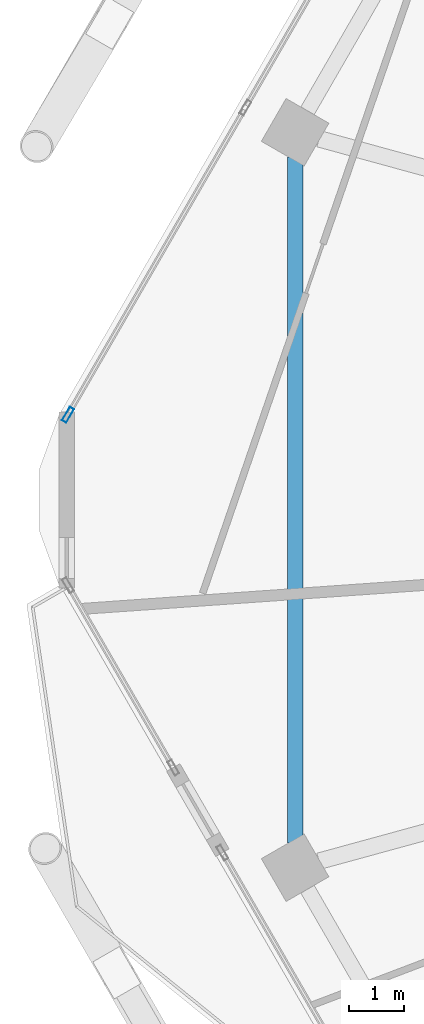
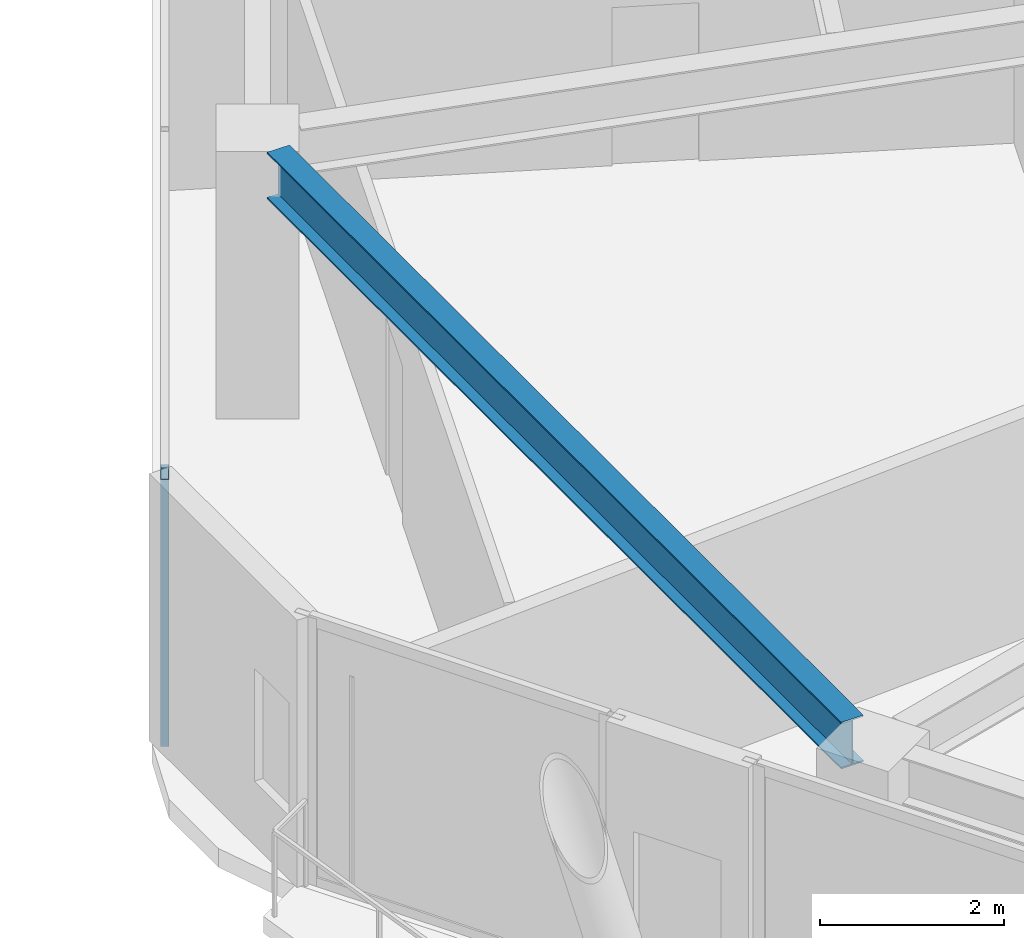
# One storey, part 6 of 27: 1 beam, 1 member, 1 element without a shape of its own.
"""IFC4 building model written with IfcOpenShell, lengths in metres."""

from ifc_helpers import new_model, si_unit, direction, frame, origin, origin_2d, place, context, subcontext, project, spatial, hollow_rectangle, i_section, extrude, material, material_profile, profile_set, type_object, element, aggregate, save


model = new_model("IFC4")

# Units and contexts
model_context = context("Model", 3, precision=1e-05, world=origin(), true_north=direction((0.0, 1.0)))
body_context = subcontext(model_context, "Body", "Model", "MODEL_VIEW")
ifc_project = project(units=[si_unit("LENGTHUNIT", "METRE"), si_unit("AREAUNIT", "SQUARE_METRE"), si_unit("VOLUMEUNIT", "CUBIC_METRE"), si_unit("PLANEANGLEUNIT", "RADIAN"), si_unit("MASSUNIT", "GRAM", prefix="KILO")], contexts=[model_context])

# Site, building, storey
site_placement = place(None, origin())
site = spatial("IfcSite", under=ifc_project, at=site_placement, CompositionType="ELEMENT")
building_placement = place(site_placement, origin())
building = spatial("IfcBuilding", under=site, at=building_placement, Name="Zuhravey Tower", CompositionType="ELEMENT")
storey_placement = place(building_placement, frame((0.0, 0.0, 238.800048828125)))
storey = spatial("IfcBuildingStorey", under=building, at=storey_placement, Name="L60", CompositionType="ELEMENT", Elevation=238.800048828125)

# Curtain wall, member
ifc_material_1 = material(Name="Thermally broken anodised aluminium", Category="aluminium")
curtain_wall_type = type_object("IfcCurtainWallType", Name="Zone 3-4 High-Rise Curtain Wall CW4", PredefinedType="NOTDEFINED", material=ifc_material_1)
curtain_wall_placement = place(storey_placement, origin())
curtain_wall = element("IfcCurtainWall", 1, at=curtain_wall_placement, inside=storey, type_object=curtain_wall_type, Name="L60 CW4 CW-L60-F3-1", PredefinedType="NOTDEFINED")
ifc_material_2 = material(Name="Anodised aluminium", Category="aluminium")
ifc_material_profile_1 = material_profile(ifc_material_2, hollow_rectangle(XDim=0.090087890625, YDim=0.284912109375, WallThickness=0.0048828125, at=origin_2d()), Name="ALU-RHS-90x285x5")
ifc_profile_set_1 = profile_set([ifc_material_profile_1], Name="Anodised aluminium")
member_type = type_object("IfcMemberType", Name="Curtain-Wall Mullion 90x180", PredefinedType="MULLION", material=ifc_profile_set_1)
member_placement = place(storey_placement, frame((7.37744140625, 33.551513671875, 0.0), z_axis=(0.0, 0.0, 1.0), x_axis=(-0.866024851021, 0.500000957414, 0.0)))
member = element("IfcMember", 2, at=member_placement, type_object=member_type, Name="CW4 mullion 1", PredefinedType="MULLION", context=body_context, shape_type="SweptSolid", body=[
    extrude(hollow_rectangle(XDim=0.090087890625, YDim=0.284912109375, WallThickness=0.0048828125, at=origin_2d()), origin(), (0.0, 0.0, 1.0), 3.550048828125),
])
aggregate(curtain_wall, [member])

# Beam
ifc_material_3 = material(Name="Steel SM355", Category="steel")
ifc_material_profile_2 = material_profile(ifc_material_3, i_section(OverallWidth=0.280029296875, OverallDepth=0.6201171875, WebThickness=0.011962890625, FlangeThickness=0.02001953125, at=origin_2d()), Name="H-620x280x12x20")
ifc_profile_set_2 = profile_set([ifc_material_profile_2], Name="Steel SM355")
beam_type = type_object("IfcBeamType", Name="Perimeter Ring Beam H620x280", PredefinedType="BEAM", material=ifc_profile_set_2)
beam_placement = place(storey_placement, frame((11.515380859375, 38.245849609375, 3.239990234375), z_axis=(0.0, -1.0, 0.0), x_axis=(1.0, 0.0, 0.0)))
element("IfcBeam", 3, at=beam_placement, inside=storey, type_object=beam_type, Name="L60 PB3 BM-L60-PB-06", PredefinedType="BEAM", context=body_context, shape_type="SweptSolid", body=[
    extrude(i_section(OverallWidth=0.280029296875, OverallDepth=0.6201171875, WebThickness=0.011962890625, FlangeThickness=0.02001953125, at=origin_2d()), origin(), (0.0, 0.0, 1.0), 12.49169921875),
])

save(model, "model.ifc")
